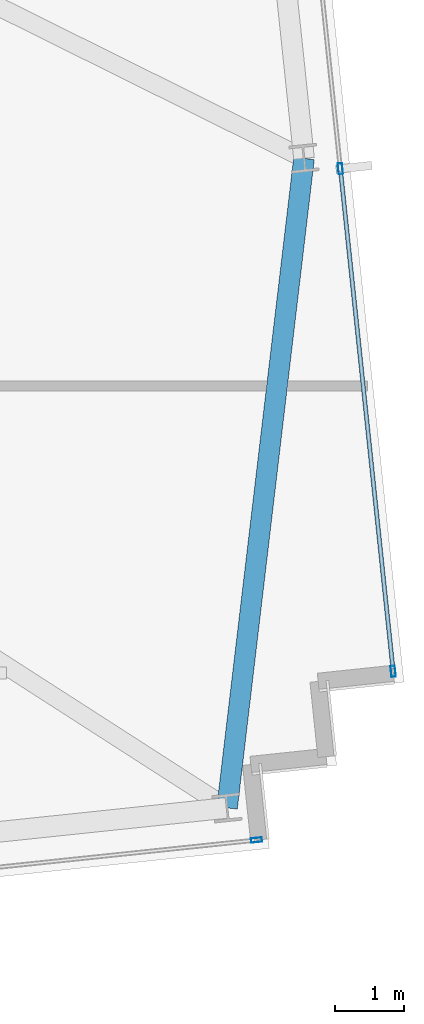
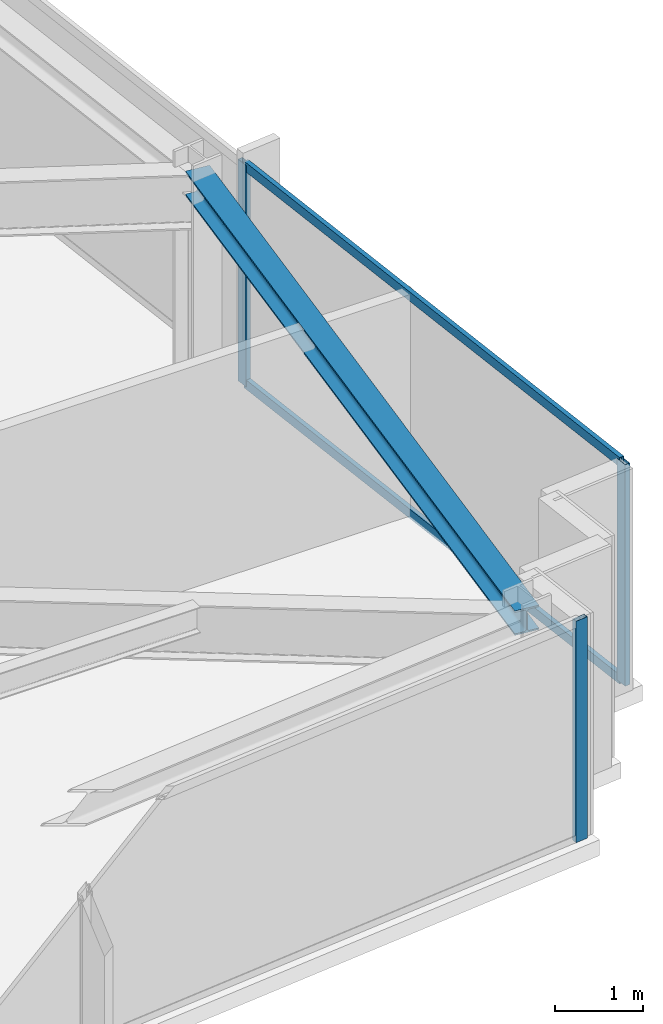
# One storey, part 17 of 33: 5 members, 1 beam, 2 elements without a shape of their own.
"""IFC4 building model written with IfcOpenShell, lengths in metres."""

from ifc_helpers import new_model, si_unit, direction, frame, origin, origin_2d, place, context, subcontext, project, spatial, hollow_rectangle, i_section, extrude, material, material_profile, profile_set, type_object, element, aggregate, save


model = new_model("IFC4")

# Units and contexts
model_context = context("Model", 3, precision=1e-05, world=origin(), true_north=direction((0.0, 1.0)))
body_context = subcontext(model_context, "Body", "Model", "MODEL_VIEW")
ifc_project = project(units=[si_unit("LENGTHUNIT", "METRE"), si_unit("AREAUNIT", "SQUARE_METRE"), si_unit("VOLUMEUNIT", "CUBIC_METRE"), si_unit("PLANEANGLEUNIT", "RADIAN"), si_unit("MASSUNIT", "GRAM", prefix="KILO")], contexts=[model_context])

# Site, building, storey
site_placement = place(None, origin())
site = spatial("IfcSite", under=ifc_project, at=site_placement, CompositionType="ELEMENT")
building_placement = place(site_placement, origin())
building = spatial("IfcBuilding", under=site, at=building_placement, Name="Yelkora Congress Tower", CompositionType="ELEMENT")
storey_placement = place(building_placement, frame((0.0, 0.0, 224.300048828125)))
storey = spatial("IfcBuildingStorey", under=building, at=storey_placement, Name="L62", CompositionType="ELEMENT", Elevation=224.300048828125)

# Beam
ifc_material_1 = material(Name="Steel S355J2", Category="steel")
ifc_material_profile_1 = material_profile(ifc_material_1, i_section(OverallWidth=0.300048828125, OverallDepth=0.340087890625, WebThickness=0.011962890625, FlangeThickness=0.021484375, FilletRadius=0.027099609375, at=origin_2d()), Name="HEB 340")
ifc_profile_set_1 = profile_set([ifc_material_profile_1], Name="Steel S355J2")
beam_type = type_object("IfcBeamType", Name="BM-SPAN-HEB340", PredefinedType="SPANDREL", material=ifc_profile_set_1)
beam_placement = place(storey_placement, frame((69.235107421875, 17.716796875, 2.909912109375), z_axis=(0.11765897357, 0.993054059928, 0.0), x_axis=(-0.993054059928, 0.11765897357, 0.0)))
element("IfcBeam", 1, at=beam_placement, inside=storey, type_object=beam_type, Name="L62 Perimeter Beam 9", PredefinedType="SPANDREL", context=body_context, shape_type="SweptSolid", body=[
    extrude(i_section(OverallWidth=0.300048828125, OverallDepth=0.340087890625, WebThickness=0.011962890625, FlangeThickness=0.021484375, FilletRadius=0.027099609375, at=origin_2d()), origin(), (0.0, 0.0, 1.0), 9.509765625),
])

# Curtain wall, members
ifc_material_2 = material(Name="Anodised aluminium and insulated glass", Category="aluminium")
curtain_wall_type = type_object("IfcCurtainWallType", Name="CW-SYS-B4", PredefinedType="NOTDEFINED", material=ifc_material_2)
curtain_wall_1_placement = place(storey_placement, origin())
curtain_wall_1 = element("IfcCurtainWall", 2, at=curtain_wall_1_placement, inside=storey, type_object=curtain_wall_type, Name="L62 Unitised Curtain Wall 15", PredefinedType="NOTDEFINED")
ifc_material_3 = material(Name="Anodised aluminium 6063-T6", Category="aluminium")
ifc_material_profile_2 = material_profile(ifc_material_3, hollow_rectangle(XDim=0.06494140625, YDim=0.159912109375, WallThickness=0.00390625, at=origin_2d()), Name="ALU 65x160x4")
ifc_profile_set_2 = profile_set([ifc_material_profile_2], Name="Anodised aluminium 6063-T6")
member_type_1 = type_object("IfcMemberType", Name="MEM-ML-B4", PredefinedType="MULLION", material=ifc_profile_set_2)
member_1_placement = place(storey_placement, frame((70.882568359375, 27.009765625, 0.0), z_axis=(0.0, 0.0, 1.0), x_axis=(0.994522182968, 0.104525726898, 0.0)))
member_1 = element("IfcMember", 3, at=member_1_placement, type_object=member_type_1, Name="CW-B4 mullion 4", PredefinedType="MULLION", context=body_context, shape_type="SweptSolid", body=[
    extrude(hollow_rectangle(XDim=0.06494140625, YDim=0.159912109375, WallThickness=0.00390625, at=origin_2d()), origin(), (0.0, 0.0, 1.0), 3.079833984375),
])
member_2_placement = place(storey_placement, frame((71.650634765625, 19.70263671875, 0.0), z_axis=(0.0, 0.0, 1.0), x_axis=(0.994522182968, 0.104525726898, 0.0)))
member_2 = element("IfcMember", 4, at=member_2_placement, type_object=member_type_1, Name="CW-B4 mullion 5", PredefinedType="MULLION", context=body_context, shape_type="SweptSolid", body=[
    extrude(hollow_rectangle(XDim=0.06494140625, YDim=0.159912109375, WallThickness=0.00390625, at=origin_2d()), origin(), (0.0, 0.0, 1.0), 3.079833984375),
])

# Curtain wall, member
curtain_wall_2_placement = place(storey_placement, origin())
curtain_wall_2 = element("IfcCurtainWall", 5, at=curtain_wall_2_placement, inside=storey, type_object=curtain_wall_type, Name="L62 Unitised Curtain Wall 20", PredefinedType="NOTDEFINED")
member_3_placement = place(storey_placement, frame((69.663818359375, 17.2490234375, 0.0), z_axis=(0.0, 0.0, 1.0), x_axis=(0.104526664994, -0.994522084373, 0.0)))
member_3 = element("IfcMember", 6, at=member_3_placement, type_object=member_type_1, Name="CW-B4 mullion 1", PredefinedType="MULLION", context=body_context, shape_type="SweptSolid", body=[
    extrude(hollow_rectangle(XDim=0.06494140625, YDim=0.159912109375, WallThickness=0.00390625, at=origin_2d()), origin(), (0.0, 0.0, 1.0), 3.079833984375),
])
aggregate(curtain_wall_2, [member_3])

# Member
ifc_material_profile_3 = material_profile(ifc_material_3, hollow_rectangle(XDim=0.06005859375, YDim=0.1298828125, WallThickness=0.00390625, at=origin_2d()), Name="ALU 60x130x4")
ifc_profile_set_3 = profile_set([ifc_material_profile_3], Name="Anodised aluminium 6063-T6")
member_type_2 = type_object("IfcMemberType", Name="MEM-TR-B4", PredefinedType="USERDEFINED", material=ifc_profile_set_3)
member_4_placement = place(storey_placement, frame((70.885986328125, 26.9775390625, 0.030029296875), z_axis=(0.104527725728, -0.994521972886, 0.0), x_axis=(0.994521972886, 0.104527725728, 0.0)))
member_4 = element("IfcMember", 7, at=member_4_placement, type_object=member_type_2, Name="CW-B4 transom 4.1", ObjectType="TRANSOM", PredefinedType="USERDEFINED", context=body_context, shape_type="SweptSolid", body=[
    extrude(hollow_rectangle(XDim=0.06005859375, YDim=0.1298828125, WallThickness=0.00390625, at=origin_2d()), origin(), (0.0, 0.0, 1.0), 7.282470703125),
])

member_5_placement = place(storey_placement, frame((70.885986328125, 26.9775390625, 3.050048828125), z_axis=(0.104527725728, -0.994521972886, 0.0), x_axis=(0.994521972886, 0.104527725728, 0.0)))
member_5 = element("IfcMember", 8, at=member_5_placement, type_object=member_type_2, Name="CW-B4 transom 4.2", ObjectType="TRANSOM", PredefinedType="USERDEFINED", context=body_context, shape_type="SweptSolid", body=[
    extrude(hollow_rectangle(XDim=0.06005859375, YDim=0.1298828125, WallThickness=0.00390625, at=origin_2d()), origin(), (0.0, 0.0, 1.0), 7.282470703125),
])

aggregate(curtain_wall_1, [member_1, member_2, member_4, member_5])

save(model, "model.ifc")
